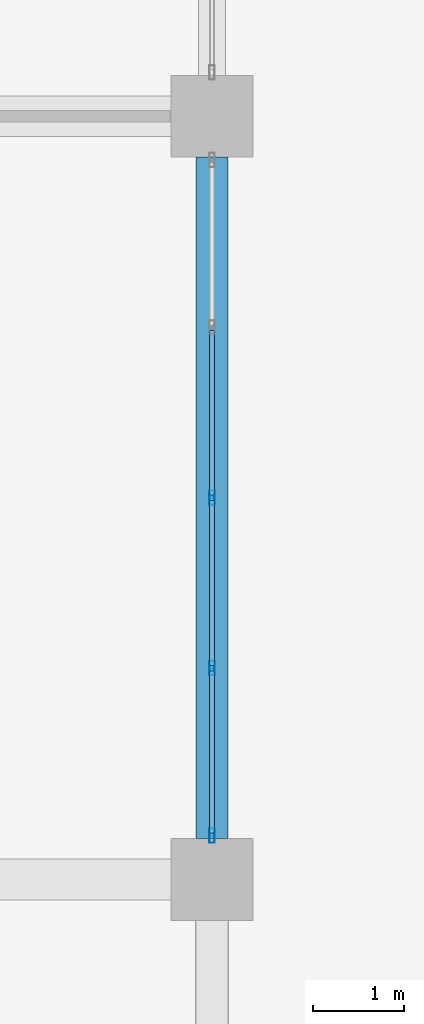
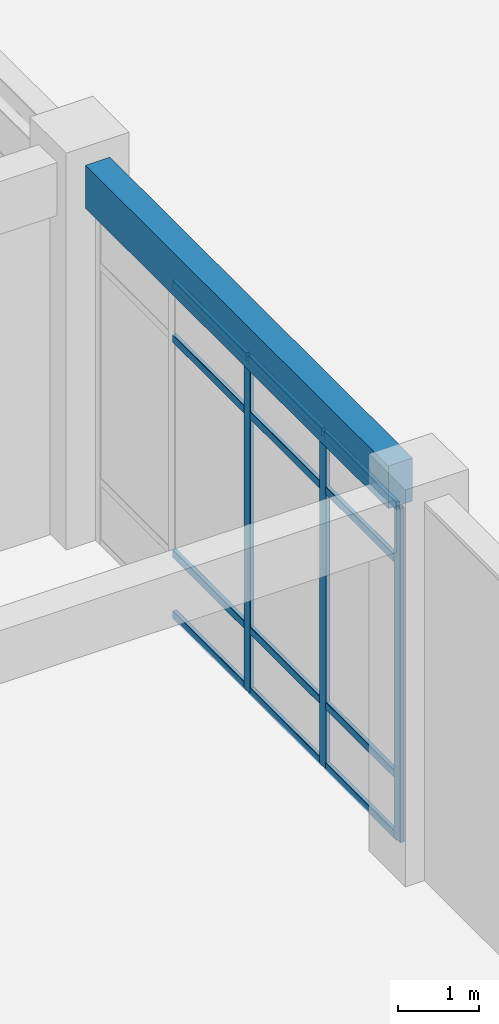
# One storey, part 35 of 82: 15 members, 1 beam, 1 element without a shape of its own.
"""IFC4 building model written with IfcOpenShell, lengths in metres."""

from ifc_helpers import new_model, si_unit, derived_unit, direction, frame, origin, origin_2d, place, context, subcontext, project, spatial, rectangle, hollow_rectangle, extrude, material, layer, layer_set, material_profile, profile_set, type_object, element, aggregate, save


model = new_model("IFC4")

# Units and contexts
model_context = context("Model", 3, precision=1e-05, world=origin(), true_north=direction((0.0, 1.0)))
body_context = subcontext(model_context, "Body", "Model", "MODEL_VIEW")
ifc_project = project(units=[si_unit("LENGTHUNIT", "METRE"), si_unit("AREAUNIT", "SQUARE_METRE"), si_unit("VOLUMEUNIT", "CUBIC_METRE"), si_unit("PLANEANGLEUNIT", "RADIAN"), si_unit("MASSUNIT", "GRAM", prefix="KILO"), derived_unit("THERMALTRANSMITTANCEUNIT", [(si_unit("MASSUNIT", "GRAM", prefix="KILO"), 1), (si_unit("TIMEUNIT", "SECOND"), -3), (si_unit("THERMODYNAMICTEMPERATUREUNIT", "KELVIN"), -1)])], contexts=[model_context])

# Site, building, storey
site_placement = place(None, origin())
site = spatial("IfcSite", under=ifc_project, at=site_placement, CompositionType="ELEMENT")
building_placement = place(site_placement, origin())
building = spatial("IfcBuilding", under=site, at=building_placement, Name="Qinzheling Arcade Emporium", CompositionType="ELEMENT")
storey_placement = place(building_placement, origin())
storey = spatial("IfcBuildingStorey", under=building, at=storey_placement, Name="L01", CompositionType="ELEMENT", Elevation=0.0)

# Curtain wall, members
ifc_material_1 = material(Name="Anodised aluminium and solar-control double glazing", Category="aluminium")
ifc_layer = layer(ifc_material_1, 0.159912109375, Name="Anodised aluminium and solar-control double glazing", Category="aluminium")
ifc_layer_set = layer_set([ifc_layer], Name="Anodised aluminium and solar-control double glazing")
curtain_wall_type = type_object("IfcCurtainWallType", Name="Street Arcade Stick Curtain Wall", PredefinedType="NOTDEFINED", material=ifc_layer_set)
curtain_wall_placement = place(storey_placement, origin())
curtain_wall = element("IfcCurtainWall", 1, at=curtain_wall_placement, inside=storey, type_object=curtain_wall_type, Name="Curtain Wall CW-L01-046", PredefinedType="NOTDEFINED")
ifc_material_2 = material(Name="Anodised aluminium 6063-T6", Category="aluminium")
ifc_material_profile_1 = material_profile(ifc_material_2, hollow_rectangle(XDim=0.06005859375, YDim=0.159912109375, WallThickness=0.00390625, InnerFilletRadius=0.00390625, OuterFilletRadius=0.008056640625, at=origin_2d()), Name="RHS 160x60x4", Category="aluminium")
ifc_profile_set_1 = profile_set([ifc_material_profile_1], Name="Anodised aluminium 6063-T6")
member_type_1 = type_object("IfcMemberType", Name="Curtain Wall Mullion RHS160x60", PredefinedType="MULLION", material=ifc_profile_set_1)
member_1_placement = place(storey_placement, frame((130.5, 46.199951171875, 0.0), z_axis=(0.0, 0.0, 1.0), x_axis=(1.0, 0.0, 0.0)))
member_1 = element("IfcMember", 2, at=member_1_placement, type_object=member_type_1, Name="CW01 mullion 3", PredefinedType="MULLION", context=body_context, shape_type="SweptSolid", body=[
    extrude(hollow_rectangle(XDim=0.06005859375, YDim=0.159912109375, WallThickness=0.00390625, InnerFilletRadius=0.00390625, OuterFilletRadius=0.008056640625, at=origin_2d()), origin(), (0.0, 0.0, 1.0), 5.054931640625),
])
member_2_placement = place(storey_placement, frame((130.5, 44.325927734375, 0.0), z_axis=(0.0, 0.0, 1.0), x_axis=(1.0, 0.0, 0.0)))
member_2 = element("IfcMember", 3, at=member_2_placement, type_object=member_type_1, Name="CW01 mullion 4", PredefinedType="MULLION", context=body_context, shape_type="SweptSolid", body=[
    extrude(hollow_rectangle(XDim=0.06005859375, YDim=0.159912109375, WallThickness=0.00390625, InnerFilletRadius=0.00390625, OuterFilletRadius=0.008056640625, at=origin_2d()), origin(), (0.0, 0.0, 1.0), 5.054931640625),
])
member_3_placement = place(storey_placement, frame((130.5, 42.48193359375, 0.0), z_axis=(0.0, 0.0, 1.0), x_axis=(1.0, 0.0, 0.0)))
member_3 = element("IfcMember", 4, at=member_3_placement, type_object=member_type_1, Name="CW01 mullion 5", PredefinedType="MULLION", context=body_context, shape_type="SweptSolid", body=[
    extrude(hollow_rectangle(XDim=0.06005859375, YDim=0.159912109375, WallThickness=0.00390625, InnerFilletRadius=0.00390625, OuterFilletRadius=0.008056640625, at=origin_2d()), origin(), (0.0, 0.0, 1.0), 5.054931640625),
])
ifc_material_profile_2 = material_profile(ifc_material_2, hollow_rectangle(XDim=0.06005859375, YDim=0.1201171875, WallThickness=0.00390625, InnerFilletRadius=0.00390625, OuterFilletRadius=0.008056640625, at=origin_2d()), Name="RHS 120x60x4", Category="aluminium")
ifc_profile_set_2 = profile_set([ifc_material_profile_2], Name="Anodised aluminium 6063-T6")
member_type_2 = type_object("IfcMemberType", Name="Curtain Wall Transom RHS120x60", PredefinedType="USERDEFINED", material=ifc_profile_set_2)
member_4_placement = place(storey_placement, frame((130.5, 48.0439453125, 0.030029296875), z_axis=(0.0, -1.0, 0.0), x_axis=(1.0, 0.0, 0.0)))
member_4 = element("IfcMember", 5, at=member_4_placement, type_object=member_type_2, Name="CW01 transom 2.1", ObjectType="TRANSOM", PredefinedType="USERDEFINED", context=body_context, shape_type="SweptSolid", body=[
    extrude(hollow_rectangle(XDim=0.06005859375, YDim=0.1201171875, WallThickness=0.00390625, InnerFilletRadius=0.00390625, OuterFilletRadius=0.008056640625, at=origin_2d()), origin(), (0.0, 0.0, 1.0), 1.81396484375),
])
member_5_placement = place(storey_placement, frame((130.5, 48.0439453125, 0.949951171875), z_axis=(0.0, -1.0, 0.0), x_axis=(1.0, 0.0, 0.0)))
member_5 = element("IfcMember", 6, at=member_5_placement, type_object=member_type_2, Name="CW01 transom 2.2", ObjectType="TRANSOM", PredefinedType="USERDEFINED", context=body_context, shape_type="SweptSolid", body=[
    extrude(hollow_rectangle(XDim=0.06005859375, YDim=0.1201171875, WallThickness=0.00390625, InnerFilletRadius=0.00390625, OuterFilletRadius=0.008056640625, at=origin_2d()), origin(), (0.0, 0.0, 1.0), 1.81396484375),
])
member_6_placement = place(storey_placement, frame((130.5, 48.0439453125, 4.205078125), z_axis=(0.0, -1.0, 0.0), x_axis=(1.0, 0.0, 0.0)))
member_6 = element("IfcMember", 7, at=member_6_placement, type_object=member_type_2, Name="CW01 transom 2.3", ObjectType="TRANSOM", PredefinedType="USERDEFINED", context=body_context, shape_type="SweptSolid", body=[
    extrude(hollow_rectangle(XDim=0.06005859375, YDim=0.1201171875, WallThickness=0.00390625, InnerFilletRadius=0.00390625, OuterFilletRadius=0.008056640625, at=origin_2d()), origin(), (0.0, 0.0, 1.0), 1.81396484375),
])
member_7_placement = place(storey_placement, frame((130.5, 48.0439453125, 5.02490234375), z_axis=(0.0, -1.0, 0.0), x_axis=(1.0, 0.0, 0.0)))
member_7 = element("IfcMember", 8, at=member_7_placement, type_object=member_type_2, Name="CW01 transom 2.4", ObjectType="TRANSOM", PredefinedType="USERDEFINED", context=body_context, shape_type="SweptSolid", body=[
    extrude(hollow_rectangle(XDim=0.06005859375, YDim=0.1201171875, WallThickness=0.00390625, InnerFilletRadius=0.00390625, OuterFilletRadius=0.008056640625, at=origin_2d()), origin(), (0.0, 0.0, 1.0), 1.81396484375),
])
member_8_placement = place(storey_placement, frame((130.5, 46.169921875, 0.030029296875), z_axis=(0.0, -1.0, 0.0), x_axis=(1.0, 0.0, 0.0)))
member_8 = element("IfcMember", 9, at=member_8_placement, type_object=member_type_2, Name="CW01 transom 3.1", ObjectType="TRANSOM", PredefinedType="USERDEFINED", context=body_context, shape_type="SweptSolid", body=[
    extrude(hollow_rectangle(XDim=0.06005859375, YDim=0.1201171875, WallThickness=0.00390625, InnerFilletRadius=0.00390625, OuterFilletRadius=0.008056640625, at=origin_2d()), origin(), (0.0, 0.0, 1.0), 1.81396484375),
])
member_9_placement = place(storey_placement, frame((130.5, 46.169921875, 0.949951171875), z_axis=(0.0, -1.0, 0.0), x_axis=(1.0, 0.0, 0.0)))
member_9 = element("IfcMember", 10, at=member_9_placement, type_object=member_type_2, Name="CW01 transom 3.2", ObjectType="TRANSOM", PredefinedType="USERDEFINED", context=body_context, shape_type="SweptSolid", body=[
    extrude(hollow_rectangle(XDim=0.06005859375, YDim=0.1201171875, WallThickness=0.00390625, InnerFilletRadius=0.00390625, OuterFilletRadius=0.008056640625, at=origin_2d()), origin(), (0.0, 0.0, 1.0), 1.81396484375),
])
member_10_placement = place(storey_placement, frame((130.5, 46.169921875, 4.205078125), z_axis=(0.0, -1.0, 0.0), x_axis=(1.0, 0.0, 0.0)))
member_10 = element("IfcMember", 11, at=member_10_placement, type_object=member_type_2, Name="CW01 transom 3.3", ObjectType="TRANSOM", PredefinedType="USERDEFINED", context=body_context, shape_type="SweptSolid", body=[
    extrude(hollow_rectangle(XDim=0.06005859375, YDim=0.1201171875, WallThickness=0.00390625, InnerFilletRadius=0.00390625, OuterFilletRadius=0.008056640625, at=origin_2d()), origin(), (0.0, 0.0, 1.0), 1.81396484375),
])
member_11_placement = place(storey_placement, frame((130.5, 46.169921875, 5.02490234375), z_axis=(0.0, -1.0, 0.0), x_axis=(1.0, 0.0, 0.0)))
member_11 = element("IfcMember", 12, at=member_11_placement, type_object=member_type_2, Name="CW01 transom 3.4", ObjectType="TRANSOM", PredefinedType="USERDEFINED", context=body_context, shape_type="SweptSolid", body=[
    extrude(hollow_rectangle(XDim=0.06005859375, YDim=0.1201171875, WallThickness=0.00390625, InnerFilletRadius=0.00390625, OuterFilletRadius=0.008056640625, at=origin_2d()), origin(), (0.0, 0.0, 1.0), 1.81396484375),
])
member_12_placement = place(storey_placement, frame((130.5, 44.2958984375, 0.030029296875), z_axis=(0.0, -1.0, 0.0), x_axis=(1.0, 0.0, 0.0)))
member_12 = element("IfcMember", 13, at=member_12_placement, type_object=member_type_2, Name="CW01 transom 4.1", ObjectType="TRANSOM", PredefinedType="USERDEFINED", context=body_context, shape_type="SweptSolid", body=[
    extrude(hollow_rectangle(XDim=0.06005859375, YDim=0.1201171875, WallThickness=0.00390625, InnerFilletRadius=0.00390625, OuterFilletRadius=0.008056640625, at=origin_2d()), origin(), (0.0, 0.0, 1.0), 1.783935546875),
])
member_13_placement = place(storey_placement, frame((130.5, 44.2958984375, 0.949951171875), z_axis=(0.0, -1.0, 0.0), x_axis=(1.0, 0.0, 0.0)))
member_13 = element("IfcMember", 14, at=member_13_placement, type_object=member_type_2, Name="CW01 transom 4.2", ObjectType="TRANSOM", PredefinedType="USERDEFINED", context=body_context, shape_type="SweptSolid", body=[
    extrude(hollow_rectangle(XDim=0.06005859375, YDim=0.1201171875, WallThickness=0.00390625, InnerFilletRadius=0.00390625, OuterFilletRadius=0.008056640625, at=origin_2d()), origin(), (0.0, 0.0, 1.0), 1.783935546875),
])
member_14_placement = place(storey_placement, frame((130.5, 44.2958984375, 4.205078125), z_axis=(0.0, -1.0, 0.0), x_axis=(1.0, 0.0, 0.0)))
member_14 = element("IfcMember", 15, at=member_14_placement, type_object=member_type_2, Name="CW01 transom 4.3", ObjectType="TRANSOM", PredefinedType="USERDEFINED", context=body_context, shape_type="SweptSolid", body=[
    extrude(hollow_rectangle(XDim=0.06005859375, YDim=0.1201171875, WallThickness=0.00390625, InnerFilletRadius=0.00390625, OuterFilletRadius=0.008056640625, at=origin_2d()), origin(), (0.0, 0.0, 1.0), 1.783935546875),
])
member_15_placement = place(storey_placement, frame((130.5, 44.2958984375, 5.02490234375), z_axis=(0.0, -1.0, 0.0), x_axis=(1.0, 0.0, 0.0)))
member_15 = element("IfcMember", 16, at=member_15_placement, type_object=member_type_2, Name="CW01 transom 4.4", ObjectType="TRANSOM", PredefinedType="USERDEFINED", context=body_context, shape_type="SweptSolid", body=[
    extrude(hollow_rectangle(XDim=0.06005859375, YDim=0.1201171875, WallThickness=0.00390625, InnerFilletRadius=0.00390625, OuterFilletRadius=0.008056640625, at=origin_2d()), origin(), (0.0, 0.0, 1.0), 1.783935546875),
])
aggregate(curtain_wall, [member_1, member_2, member_3, member_4, member_5, member_6, member_7, member_8, member_9, member_10, member_11, member_12, member_13, member_14, member_15])

# Beam
ifc_material_3 = material(Name="Concrete C40", Category="concrete")
ifc_material_profile_3 = material_profile(ifc_material_3, rectangle(XDim=0.35009765625, YDim=0.64990234375, at=origin_2d()), Name="RC 350x650", Category="concrete")
ifc_profile_set_3 = profile_set([ifc_material_profile_3], Name="Concrete C40")
beam_type = type_object("IfcBeamType", Name="RC Spandrel Edge Beam 350x650 C40", PredefinedType="SPANDREL", material=ifc_profile_set_3)
beam_placement = place(storey_placement, frame((130.5, 42.449951171875, 5.39501953125), z_axis=(0.0, 1.0, 0.0), x_axis=(-1.0, 0.0, 0.0)))
element("IfcBeam", 17, at=beam_placement, inside=storey, type_object=beam_type, Name="Beam BM-L01-Y-16-F", PredefinedType="SPANDREL", context=body_context, shape_type="SweptSolid", body=[
    extrude(rectangle(XDim=0.35009765625, YDim=0.64990234375, at=origin_2d()), origin(), (0.0, 0.0, 1.0), 7.5),
])

save(model, "model.ifc")
